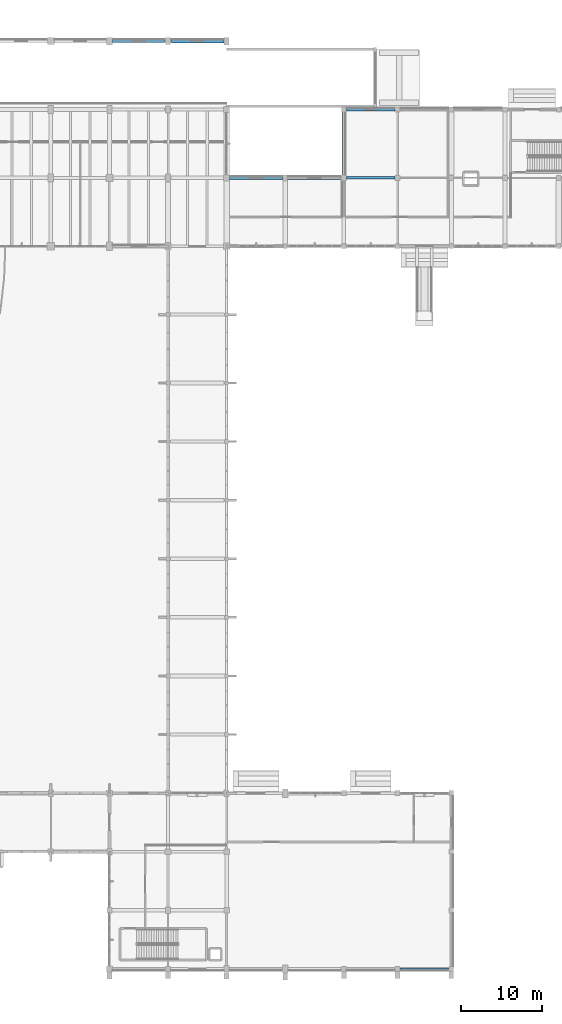
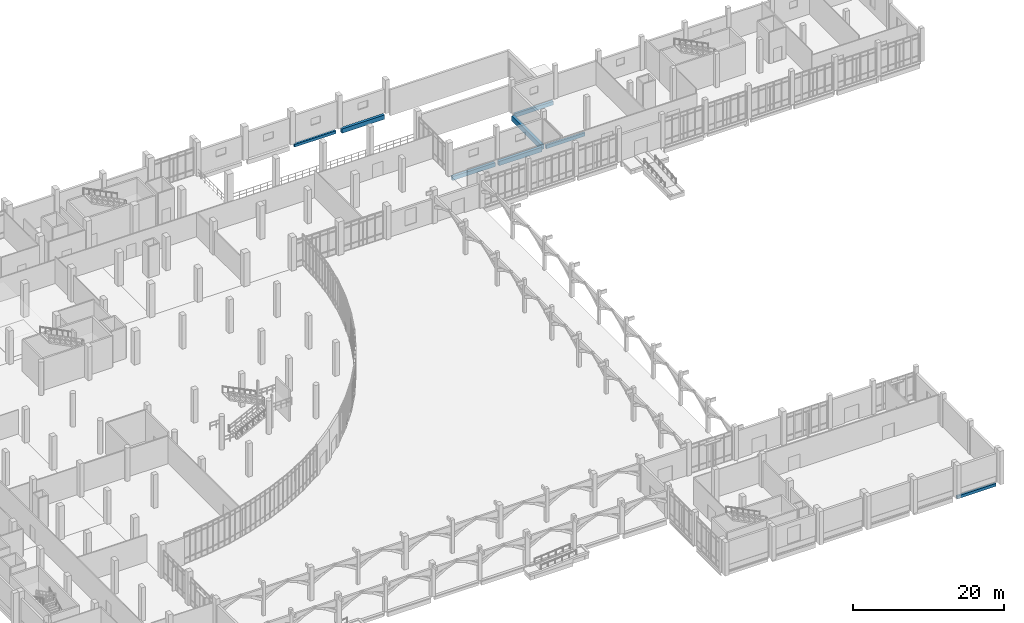
# One storey, part 60 of 110: 8 beams.
"""IFC4 building model written with IfcOpenShell, lengths in metres."""

from ifc_helpers import new_model, si_unit, direction, frame, origin, origin_2d, place, context, subcontext, project, spatial, rectangle, extrude, material, material_profile, profile_set, type_object, element, save


model = new_model("IFC4")

# Units and contexts
model_context = context("Model", 3, precision=1e-05, world=origin(), true_north=direction((0.0, 1.0)))
body_context = subcontext(model_context, "Body", "Model", "MODEL_VIEW")
ifc_project = project(units=[si_unit("LENGTHUNIT", "METRE"), si_unit("AREAUNIT", "SQUARE_METRE"), si_unit("VOLUMEUNIT", "CUBIC_METRE"), si_unit("PLANEANGLEUNIT", "RADIAN"), si_unit("MASSUNIT", "GRAM", prefix="KILO")], contexts=[model_context])

# Site, building, storey
site_placement = place(None, origin())
site = spatial("IfcSite", under=ifc_project, at=site_placement, CompositionType="ELEMENT")
building_placement = place(site_placement, origin())
building = spatial("IfcBuilding", under=site, at=building_placement, Name="Kalluvel Institute of Natural Sciences", CompositionType="ELEMENT")
storey_placement = place(building_placement, origin())
storey = spatial("IfcBuildingStorey", under=building, at=storey_placement, Name="L00", CompositionType="ELEMENT", Elevation=0.0)

# Beams
ifc_material = material(Name="Concrete M40", Category="concrete")
ifc_material_profile_1 = material_profile(ifc_material, rectangle(XDim=0.300048828125, YDim=0.550048828125, at=origin_2d()), Name="RCB 300x550")
ifc_profile_set_1 = profile_set([ifc_material_profile_1], Name="Concrete M40")
beam_type_1 = type_object("IfcBeamType", Name="BM-RC300x550", PredefinedType="BEAM", material=ifc_profile_set_1)
beam_1_placement = place(storey_placement, frame((129.52490234375, 111.199951171875, -0.635009765625), z_axis=(1.0, 0.0, 0.0), x_axis=(0.0, 1.0, 0.0)))
element("IfcBeam", 1, at=beam_1_placement, inside=storey, type_object=beam_type_1, Name="L00 girder GIR-L00-EW-X1292-Y1112", PredefinedType="BEAM", context=body_context, shape_type="SweptSolid", body=[
    extrude(rectangle(XDim=0.300048828125, YDim=0.550048828125, at=origin_2d()), origin(), (0.0, 0.0, 1.0), 5.9501953125),
])
ifc_material_profile_2 = material_profile(ifc_material, rectangle(XDim=0.35009765625, YDim=0.60009765625, at=origin_2d()), Name="RCB 350x600")
ifc_profile_set_2 = profile_set([ifc_material_profile_2], Name="Concrete M40")
beam_type_2 = type_object("IfcBeamType", Name="BM-RC350x600", PredefinedType="BEAM", material=ifc_profile_set_2)
beam_2_placement = place(storey_placement, frame((129.52490234375, 119.60009765625, -0.659912109375), z_axis=(1.0, 0.0, 0.0), x_axis=(0.0, 1.0, 0.0)))
element("IfcBeam", 2, at=beam_2_placement, inside=storey, type_object=beam_type_2, Name="L00 girder GIR-L00-EW-X1292-Y1196", PredefinedType="BEAM", context=body_context, shape_type="SweptSolid", body=[
    extrude(rectangle(XDim=0.35009765625, YDim=0.60009765625, at=origin_2d()), origin(), (0.0, 0.0, 1.0), 5.9501953125),
])
ifc_material_profile_3 = material_profile(ifc_material, rectangle(XDim=0.3798828125, YDim=0.639892578125, at=origin_2d()), Name="RCB 380x640")
ifc_profile_set_3 = profile_set([ifc_material_profile_3], Name="Concrete M40")
beam_type_3 = type_object("IfcBeamType", Name="BM-RC380x640", PredefinedType="BEAM", material=ifc_profile_set_3)
beam_3_placement = place(storey_placement, frame((115.175048828125, 111.199951171875, -0.679931640625), z_axis=(1.0, 0.0, 0.0), x_axis=(0.0, 1.0, 0.0)))
element("IfcBeam", 3, at=beam_3_placement, inside=storey, type_object=beam_type_3, Name="L00 girder GIR-L00-EW-X1148-Y1112", PredefinedType="BEAM", context=body_context, shape_type="SweptSolid", body=[
    extrude(rectangle(XDim=0.3798828125, YDim=0.639892578125, at=origin_2d()), origin(), (0.0, 0.0, 1.0), 6.550048828125),
])
ifc_material_profile_4 = material_profile(ifc_material, rectangle(XDim=0.419921875, YDim=0.719970703125, at=origin_2d()), Name="RCB 420x720")
ifc_profile_set_4 = profile_set([ifc_material_profile_4], Name="Concrete M40")
beam_type_4 = type_object("IfcBeamType", Name="BM-RC420x720", PredefinedType="BEAM", material=ifc_profile_set_4)
beam_4_placement = place(storey_placement, frame((122.27490234375, 111.199951171875, -0.719970703125), z_axis=(1.0, 0.0, 0.0), x_axis=(0.0, 1.0, 0.0)))
element("IfcBeam", 4, at=beam_4_placement, inside=storey, type_object=beam_type_4, Name="L00 girder GIR-L00-EW-X1220-Y1112", PredefinedType="BEAM", context=body_context, shape_type="SweptSolid", body=[
    extrude(rectangle(XDim=0.419921875, YDim=0.719970703125, at=origin_2d()), origin(), (0.0, 0.0, 1.0), 6.60009765625),
])
ifc_material_profile_5 = material_profile(ifc_material, rectangle(XDim=0.449951171875, YDim=0.800048828125, at=origin_2d()), Name="RCB 450x800")
ifc_profile_set_5 = profile_set([ifc_material_profile_5], Name="Concrete M40")
beam_type_5 = type_object("IfcBeamType", Name="BM-RC450x800", PredefinedType="BEAM", material=ifc_profile_set_5)
beam_5_placement = place(storey_placement, frame((129.199951171875, 111.52490234375, -0.760009765625), z_axis=(0.0, 1.0, 0.0), x_axis=(-1.0, 0.0, 0.0)))
element("IfcBeam", 5, at=beam_5_placement, inside=storey, type_object=beam_type_5, Name="L00 girder GIR-L00-NS-X1292-Y1112", PredefinedType="BEAM", context=body_context, shape_type="SweptSolid", body=[
    extrude(rectangle(XDim=0.449951171875, YDim=0.800048828125, at=origin_2d()), origin(), (0.0, 0.0, 1.0), 7.75),
])
ifc_material_profile_6 = material_profile(ifc_material, rectangle(XDim=0.300048828125, YDim=0.449951171875, at=origin_2d()), Name="RCB 300x450")
ifc_profile_set_6 = profile_set([ifc_material_profile_6], Name="Concrete M40")
beam_type_6 = type_object("IfcBeamType", Name="SP-RC300x450", PredefinedType="SPANDREL", material=ifc_profile_set_6)
beam_6_placement = place(storey_placement, frame((136.125, 14.0, -0.56494140625), z_axis=(1.0, 0.0, 0.0), x_axis=(0.0, 1.0, 0.0)))
element("IfcBeam", 6, at=beam_6_placement, inside=storey, type_object=beam_type_6, Name="L00 girder GIR-L00-EW-X1358-Y140", PredefinedType="SPANDREL", context=body_context, shape_type="SweptSolid", body=[
    extrude(rectangle(XDim=0.300048828125, YDim=0.449951171875, at=origin_2d()), origin(), (0.0, 0.0, 1.0), 5.949951171875),
])
beam_7_placement = place(storey_placement, frame((100.77490234375, 128.0, -0.544921875), z_axis=(1.0, 0.0, 0.0), x_axis=(0.0, 1.0, 0.0)))
element("IfcBeam", 7, at=beam_7_placement, inside=storey, type_object=beam_type_6, Name="L00 girder GIR-L00-EW-X1004-Y1280", PredefinedType="SPANDREL", context=body_context, shape_type="SweptSolid", body=[
    extrude(rectangle(XDim=0.300048828125, YDim=0.449951171875, at=origin_2d()), origin(), (0.0, 0.0, 1.0), 6.375),
])
ifc_material_profile_7 = material_profile(ifc_material, rectangle(XDim=0.39990234375, YDim=0.699951171875, at=origin_2d()), Name="RCB 400x700")
ifc_profile_set_7 = profile_set([ifc_material_profile_7], Name="Concrete M40")
beam_type_7 = type_object("IfcBeamType", Name="SP-RC400x700", PredefinedType="SPANDREL", material=ifc_profile_set_7)
beam_8_placement = place(storey_placement, frame((108.050048828125, 128.0, -0.669921875), z_axis=(1.0, 0.0, 0.0), x_axis=(0.0, 1.0, 0.0)))
element("IfcBeam", 8, at=beam_8_placement, inside=storey, type_object=beam_type_7, Name="L00 girder GIR-L00-EW-X1076-Y1280", PredefinedType="SPANDREL", context=body_context, shape_type="SweptSolid", body=[
    extrude(rectangle(XDim=0.39990234375, YDim=0.699951171875, at=origin_2d()), origin(), (0.0, 0.0, 1.0), 6.449951171875),
])

save(model, "model.ifc")
